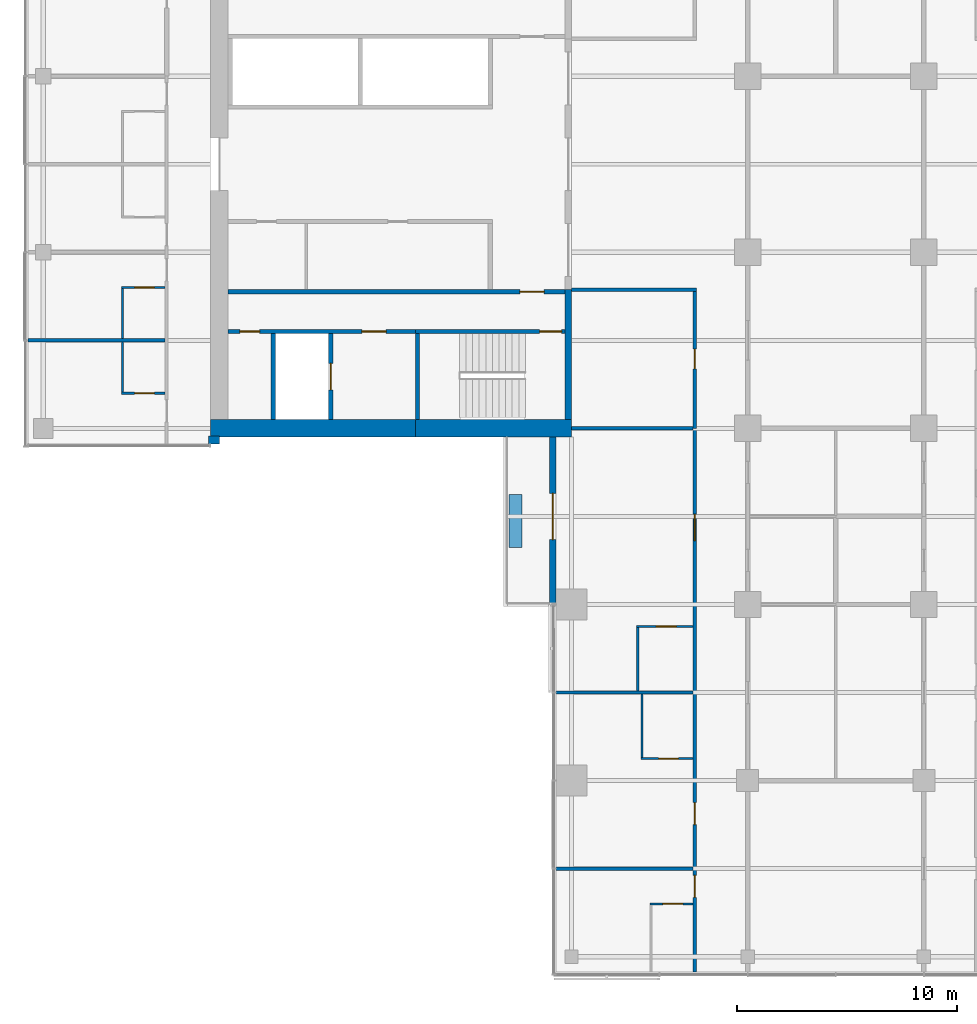
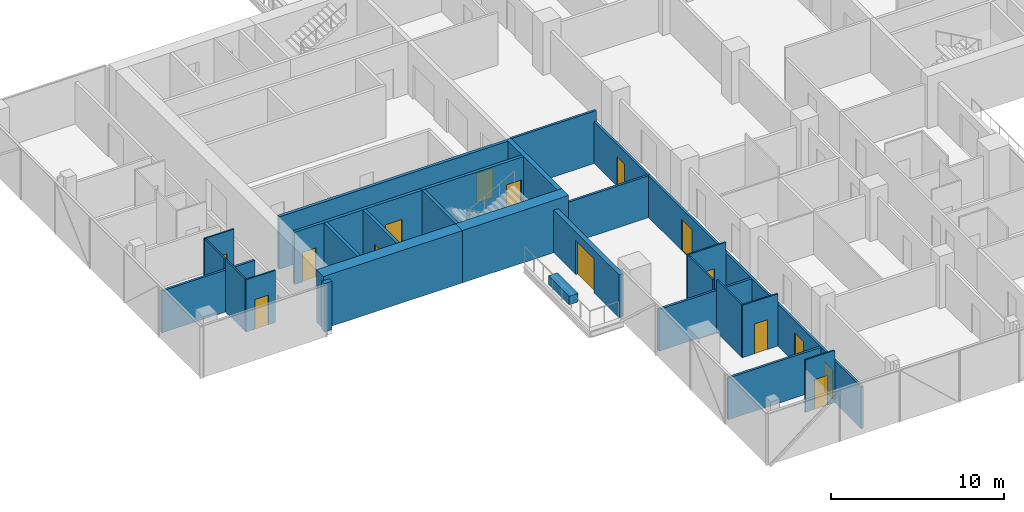
# One storey, part 15 of 27: 28 walls, 15 doors, 15 openings.
"""IFC4 building model written with IfcOpenShell, lengths in metres."""

from ifc_helpers import new_model, si_unit, direction, frame, frame_2d, origin, place, context, subcontext, project, spatial, rectangle, extrude, material, layer, layer_set, constituent, constituent_set, type_object, element, fill, save


model = new_model("IFC4")

# Units and contexts
model_context = context("Model", 3, precision=1e-05, world=origin(), true_north=direction((0.0, 1.0)))
body_context = subcontext(model_context, "Body", "Model", "MODEL_VIEW")
ifc_project = project(units=[si_unit("LENGTHUNIT", "METRE"), si_unit("AREAUNIT", "SQUARE_METRE"), si_unit("VOLUMEUNIT", "CUBIC_METRE"), si_unit("PLANEANGLEUNIT", "RADIAN"), si_unit("MASSUNIT", "GRAM", prefix="KILO")], contexts=[model_context])

# Site, building, storey
site_placement = place(None, origin())
site = spatial("IfcSite", under=ifc_project, at=site_placement, CompositionType="ELEMENT")
building_placement = place(site_placement, origin())
building = spatial("IfcBuilding", under=site, at=building_placement, Name="Crosswind Convention Tower", CompositionType="ELEMENT")
storey_placement = place(building_placement, frame((0.0, 0.0, 83.10009765625)))
storey = spatial("IfcBuildingStorey", under=building, at=storey_placement, Name="L15", CompositionType="ELEMENT", Elevation=83.10009765625)

# Wall
ifc_material_1 = material(Name="Plasterboard partition", Category="gypsum")
ifc_layer_1 = layer(ifc_material_1, 0.14990234375)
ifc_layer_set_1 = layer_set([ifc_layer_1], Name="CORRIDOR WALL 150")
wall_type_1 = type_object("IfcWallType", Name="CORRIDOR WALL 150", PredefinedType="PARTITIONING", material=ifc_layer_set_1)
wall_1_placement = place(storey_placement, frame((113.0, 94.300048828125, 0.0), z_axis=(0.0, 0.0, 1.0), x_axis=(1.0, 0.0, 0.0)))
element("IfcWall", 1, at=wall_1_placement, inside=storey, type_object=wall_type_1, Name="Corridor Wall 23", PredefinedType="PARTITIONING", context=body_context, shape_type="SweptSolid", body=[
    extrude(rectangle(XDim=5.675048828125, YDim=0.14990234375, at=frame_2d((2.83740234375, 0.0))), origin(), (0.0, 0.0, 1.0), 3.699951171875),
])

# Wall, opening, door
wall_2_placement = place(storey_placement, frame((118.60009765625, 88.0, 0.0), z_axis=(0.0, 0.0, 1.0), x_axis=(0.0, 1.0, 0.0)))
wall_2 = element("IfcWall", 2, at=wall_2_placement, inside=storey, type_object=wall_type_1, Name="Corridor Wall 74", PredefinedType="PARTITIONING", context=body_context, shape_type="SweptSolid", body=[
    extrude(rectangle(XDim=6.22509765625, YDim=0.14990234375, at=frame_2d((3.112548828125, 0.0))), origin(), (0.0, 0.0, 1.0), 2.956298828125),
])
opening_1_placement = place(wall_2_placement, frame((2.699951171875, 0.0, 0.0)))
opening_1 = element("IfcOpeningElement", 3, at=opening_1_placement, cuts=wall_2, Name="Opening 15.004", PredefinedType="OPENING", context=body_context, shape_type="SweptSolid", body=[
    extrude(rectangle(XDim=0.89990234375, YDim=2.10009765625, at=frame_2d((0.449951171875, 1.050048828125))), frame((0.0, 0.0849609375, 0.0), z_axis=(0.0, -1.0, 0.0), x_axis=(1.0, 0.0, 0.0)), (0.0, 0.0, 1.0), 0.169921875),
])
ifc_material_2 = material(Name="Timber door", Category="wood")
door_type_1 = type_object("IfcDoorType", Name="WC DOOR 900X2100", OperationType="NOTDEFINED", PredefinedType="DOOR", material=ifc_material_2)
door_1_placement = place(opening_1_placement, origin())
door_1 = element("IfcDoor", 4, at=door_1_placement, inside=storey, type_object=door_type_1, Name="Door 15.004", ObjectType="D7", OperationType="SINGLE_SWING_RIGHT", OverallHeight=2.10009765625, OverallWidth=0.89990234375, PredefinedType="DOOR", context=body_context, shape_type="SweptSolid", body=[
    extrude(rectangle(XDim=0.89990234375, YDim=2.10009765625, at=frame_2d((0.449951171875, 1.050048828125))), frame((0.0, 0.02490234375, 0.0), z_axis=(0.0, -1.0, 0.0), x_axis=(1.0, 0.0, 0.0)), (0.0, 0.0, 1.0), 0.050048828125),
])
fill(opening_1, door_1)

# Wall
ifc_material_3 = material(Name="Concrete C50/60", Category="concrete")
ifc_layer_2 = layer(ifc_material_3, 0.300048828125)
ifc_layer_set_2 = layer_set([ifc_layer_2], Name="Concrete C50/60")
wall_type_2 = type_object("IfcWallType", Name="Concrete inner core wall 300", PredefinedType="SHEAR", material=ifc_layer_set_2)
wall_3_placement = place(storey_placement, frame((112.85009765625, 94.300048828125, 0.0), z_axis=(0.0, 0.0, 1.0), x_axis=(0.0, -1.0, 0.0)))
element("IfcWall", 5, at=wall_3_placement, inside=storey, type_object=wall_type_2, Name="Wall EP W L15", PredefinedType="SHEAR", context=body_context, shape_type="SweptSolid", body=[
    extrude(rectangle(XDim=5.900146484375, YDim=0.300048828125, at=frame_2d((2.9501953125, 0.0))), origin(), (0.0, 0.0, 1.0), 3.699951171875),
])

# Wall, opening, door
ifc_layer_3 = layer(ifc_material_3, 0.199951171875)
ifc_layer_set_3 = layer_set([ifc_layer_3], Name="Concrete C50/60")
wall_type_3 = type_object("IfcWallType", Name="Concrete shaft and stair wall 200", PredefinedType="SHEAR", material=ifc_layer_set_3)
wall_4_placement = place(storey_placement, frame((112.699951171875, 94.199951171875, 0.0), z_axis=(0.0, 0.0, 1.0), x_axis=(-1.0, 0.0, 0.0)))
wall_4 = element("IfcWall", 6, at=wall_4_placement, inside=storey, type_object=wall_type_3, Name="Wall HP W L15", PredefinedType="SHEAR", context=body_context, shape_type="SweptSolid", body=[
    extrude(rectangle(XDim=15.300048828125, YDim=0.199951171875, at=frame_2d((7.64990234375, 0.0))), origin(), (0.0, 0.0, 1.0), 3.699951171875),
])
opening_2_placement = place(wall_4_placement, frame((0.949951171875, 0.0, 0.0)))
opening_2 = element("IfcOpeningElement", 7, at=opening_2_placement, cuts=wall_4, Name="Opening D104", PredefinedType="OPENING", context=body_context, shape_type="SweptSolid", body=[
    extrude(rectangle(XDim=1.10009765625, YDim=2.10009765625, at=frame_2d((0.550048828125, 1.050048828125))), frame((0.0, 0.10986328125, 0.0), z_axis=(0.0, -1.0, 0.0), x_axis=(1.0, 0.0, 0.0)), (0.0, 0.0, 1.0), 0.219970703125),
])
ifc_material_4 = material(Name="Steel fire door", Category="steel")
door_type_2 = type_object("IfcDoorType", Name="Fire-rated single door 1100x2100", OperationType="NOTDEFINED", PredefinedType="DOOR", material=ifc_material_4)
door_2_placement = place(opening_2_placement, origin())
door_2 = element("IfcDoor", 8, at=door_2_placement, inside=storey, type_object=door_type_2, Name="Corridor door L15", ObjectType="D104", OperationType="SINGLE_SWING_LEFT", OverallHeight=2.10009765625, OverallWidth=1.10009765625, PredefinedType="DOOR", context=body_context, shape_type="SweptSolid", body=[
    extrude(rectangle(XDim=1.10009765625, YDim=2.10009765625, at=frame_2d((0.550048828125, 1.050048828125))), frame((0.0, 0.02490234375, 0.0), z_axis=(0.0, -1.0, 0.0), x_axis=(1.0, 0.0, 0.0)), (0.0, 0.0, 1.0), 0.050048828125),
])
fill(opening_2, door_2)

# Wall
wall_5_placement = place(storey_placement, frame((106.0, 92.300048828125, 0.0), z_axis=(0.0, 0.0, 1.0), x_axis=(0.0, -1.0, 0.0)))
element("IfcWall", 9, at=wall_5_placement, inside=storey, type_object=wall_type_3, Name="Wall PSE W L15", PredefinedType="SHEAR", context=body_context, shape_type="SweptSolid", body=[
    extrude(rectangle(XDim=3.900146484375, YDim=0.199951171875, at=frame_2d((1.9501953125, 0.0))), origin(), (0.0, 0.0, 1.0), 3.699951171875),
])

# Wall, opening, door
wall_6_placement = place(storey_placement, frame((102.050048828125, 92.300048828125, 0.0), z_axis=(0.0, 0.0, 1.0), x_axis=(0.0, -1.0, 0.0)))
wall_6 = element("IfcWall", 10, at=wall_6_placement, inside=storey, type_object=wall_type_3, Name="Wall PFLW W L15", PredefinedType="SHEAR", context=body_context, shape_type="SweptSolid", body=[
    extrude(rectangle(XDim=3.900146484375, YDim=0.199951171875, at=frame_2d((1.9501953125, 0.0))), origin(), (0.0, 0.0, 1.0), 3.699951171875),
])
opening_3_placement = place(wall_6_placement, frame((1.35009765625, 0.0, 0.0)))
opening_3 = element("IfcOpeningElement", 11, at=opening_3_placement, cuts=wall_6, Name="Opening LD1", PredefinedType="OPENING", context=body_context, shape_type="SweptSolid", body=[
    extrude(rectangle(XDim=1.199951171875, YDim=2.10009765625, at=frame_2d((0.60009765625, 1.050048828125))), frame((0.0, 0.10986328125, 0.0), z_axis=(0.0, -1.0, 0.0), x_axis=(1.0, 0.0, 0.0)), (0.0, 0.0, 1.0), 0.219970703125),
])
ifc_material_5 = material(Name="Stainless steel", Category="steel")
door_type_3 = type_object("IfcDoorType", Name="Lift landing door 1200x2100", OperationType="DOUBLE_DOOR_SLIDING", PredefinedType="DOOR", material=ifc_material_5)
door_3_placement = place(opening_3_placement, origin())
door_3 = element("IfcDoor", 12, at=door_3_placement, inside=storey, type_object=door_type_3, Name="Landing door FF2 L15", ObjectType="LD1", OperationType="DOUBLE_DOOR_SLIDING", OverallHeight=2.10009765625, OverallWidth=1.199951171875, PredefinedType="DOOR", context=body_context, shape_type="SweptSolid", body=[
    extrude(rectangle(XDim=1.199951171875, YDim=2.10009765625, at=frame_2d((0.60009765625, 1.050048828125))), frame((0.0, 0.02490234375, 0.0), z_axis=(0.0, -1.0, 0.0), x_axis=(1.0, 0.0, 0.0)), (0.0, 0.0, 1.0), 0.050048828125),
])
fill(opening_3, door_3)

# Wall
wall_7_placement = place(storey_placement, frame((99.449951171875, 92.300048828125, 0.0), z_axis=(0.0, 0.0, 1.0), x_axis=(0.0, -1.0, 0.0)))
element("IfcWall", 13, at=wall_7_placement, inside=storey, type_object=wall_type_3, Name="Wall PFSE W L15", PredefinedType="SHEAR", context=body_context, shape_type="SweptSolid", body=[
    extrude(rectangle(XDim=3.900146484375, YDim=0.199951171875, at=frame_2d((1.9501953125, 0.0))), origin(), (0.0, 0.0, 1.0), 3.699951171875),
])

# Wall, opening, door
wall_8_placement = place(storey_placement, frame((112.699951171875, 92.39990234375, 0.0), z_axis=(0.0, 0.0, 1.0), x_axis=(-1.0, 0.0, 0.0)))
wall_8 = element("IfcWall", 14, at=wall_8_placement, inside=storey, type_object=wall_type_3, Name="Wall PCW W L15", PredefinedType="SHEAR", context=body_context, shape_type="SweptSolid", body=[
    extrude(rectangle(XDim=6.800048828125, YDim=0.199951171875, at=frame_2d((3.39990234375, 0.0))), origin(), (0.0, 0.0, 1.0), 3.699951171875),
])
opening_4_placement = place(wall_8_placement, frame((0.14990234375, 0.0, 0.0)))
opening_4 = element("IfcOpeningElement", 15, at=opening_4_placement, cuts=wall_8, Name="Opening D103", PredefinedType="OPENING", context=body_context, shape_type="SweptSolid", body=[
    extrude(rectangle(XDim=1.0, YDim=2.10009765625, at=frame_2d((0.5, 1.050048828125))), frame((0.0, 0.10986328125, 0.0), z_axis=(0.0, -1.0, 0.0), x_axis=(1.0, 0.0, 0.0)), (0.0, 0.0, 1.0), 0.219970703125),
])
door_type_4 = type_object("IfcDoorType", Name="Fire-rated single door 1000x2100", OperationType="NOTDEFINED", PredefinedType="DOOR", material=ifc_material_4)
door_4_placement = place(opening_4_placement, origin())
door_4 = element("IfcDoor", 16, at=door_4_placement, inside=storey, type_object=door_type_4, Name="Stair ST3 door L15", ObjectType="D103", OperationType="SINGLE_SWING_LEFT", OverallHeight=2.10009765625, OverallWidth=1.0, PredefinedType="DOOR", context=body_context, shape_type="SweptSolid", body=[
    extrude(rectangle(XDim=1.0, YDim=2.10009765625, at=frame_2d((0.5, 1.050048828125))), frame((0.0, 0.02490234375, 0.0), z_axis=(0.0, -1.0, 0.0), x_axis=(1.0, 0.0, 0.0)), (0.0, 0.0, 1.0), 0.050048828125),
])
fill(opening_4, door_4)

# Wall, openings, doors
wall_9_placement = place(storey_placement, frame((105.89990234375, 92.39990234375, 0.0), z_axis=(0.0, 0.0, 1.0), x_axis=(-1.0, 0.0, 0.0)))
wall_9 = element("IfcWall", 17, at=wall_9_placement, inside=storey, type_object=wall_type_3, Name="Wall PCX W L15", PredefinedType="SHEAR", context=body_context, shape_type="SweptSolid", body=[
    extrude(rectangle(XDim=8.5, YDim=0.199951171875, at=frame_2d((4.25, 0.0))), origin(), (0.0, 0.0, 1.0), 3.699951171875),
])
opening_5_placement = place(wall_9_placement, frame((1.324951171875, 0.0, 0.0)))
opening_5 = element("IfcOpeningElement", 18, at=opening_5_placement, cuts=wall_9, Name="Opening D104", PredefinedType="OPENING", context=body_context, shape_type="SweptSolid", body=[
    extrude(rectangle(XDim=1.10009765625, YDim=2.10009765625, at=frame_2d((0.550048828125, 1.050048828125))), frame((0.0, 0.10986328125, 0.0), z_axis=(0.0, -1.0, 0.0), x_axis=(1.0, 0.0, 0.0)), (0.0, 0.0, 1.0), 0.219970703125),
])
opening_6_placement = place(wall_9_placement, frame((7.074951171875, 0.0, 0.0)))
opening_6 = element("IfcOpeningElement", 19, at=opening_6_placement, cuts=wall_9, Name="Opening D106", PredefinedType="OPENING", context=body_context, shape_type="SweptSolid", body=[
    extrude(rectangle(XDim=0.89990234375, YDim=2.10009765625, at=frame_2d((0.449951171875, 1.050048828125))), frame((0.0, 0.10986328125, 0.0), z_axis=(0.0, -1.0, 0.0), x_axis=(1.0, 0.0, 0.0)), (0.0, 0.0, 1.0), 0.219970703125),
])
door_5_placement = place(opening_5_placement, origin())
door_5 = element("IfcDoor", 20, at=door_5_placement, inside=storey, type_object=door_type_2, Name="Fire-fighting lobby FF2 door L15", ObjectType="D104", OperationType="SINGLE_SWING_RIGHT", OverallHeight=2.10009765625, OverallWidth=1.10009765625, PredefinedType="DOOR", context=body_context, shape_type="SweptSolid", body=[
    extrude(rectangle(XDim=1.10009765625, YDim=2.10009765625, at=frame_2d((0.550048828125, 1.050048828125))), frame((0.0, 0.02490234375, 0.0), z_axis=(0.0, -1.0, 0.0), x_axis=(1.0, 0.0, 0.0)), (0.0, 0.0, 1.0), 0.050048828125),
])
fill(opening_5, door_5)
door_type_5 = type_object("IfcDoorType", Name="Single leaf door 900x2100", OperationType="NOTDEFINED", PredefinedType="DOOR", material=ifc_material_2)
door_6_placement = place(opening_6_placement, origin())
door_6 = element("IfcDoor", 21, at=door_6_placement, inside=storey, type_object=door_type_5, Name="Door to comms room L15", ObjectType="D106", OperationType="SINGLE_SWING_RIGHT", OverallHeight=2.10009765625, OverallWidth=0.89990234375, PredefinedType="DOOR", context=body_context, shape_type="SweptSolid", body=[
    extrude(rectangle(XDim=0.89990234375, YDim=2.10009765625, at=frame_2d((0.449951171875, 1.050048828125))), frame((0.0, 0.02490234375, 0.0), z_axis=(0.0, -1.0, 0.0), x_axis=(1.0, 0.0, 0.0)), (0.0, 0.0, 1.0), 0.050048828125),
])
fill(opening_6, door_6)

# Walls
ifc_material_6 = material(Name="Acoustic plasterboard partition", Category="gypsum")
ifc_layer_4 = layer(ifc_material_6, 0.14990234375)
ifc_layer_set_4 = layer_set([ifc_layer_4], Name="GUEST ROOM WALL 150")
wall_type_4 = type_object("IfcWallType", Name="GUEST ROOM WALL 150", PredefinedType="PARTITIONING", material=ifc_layer_set_4)
for number, where, z_axis, x_axis, name in (
    (22, (112.300048828125, 68.0, 0.0), (0.0, 0.0, 1.0), (1.0, 0.0, 0.0), "Guest Room Wall 2"),
    (23, (112.300048828125, 76.0, 0.0), (0.0, 0.0, 1.0), (1.0, 0.0, 0.0), "Guest Room Wall 7"),
):
    element("IfcWall", number, at=place(storey_placement, frame(where, z_axis=z_axis, x_axis=x_axis)), inside=storey, type_object=wall_type_4, Name=name, PredefinedType="PARTITIONING", context=body_context, shape_type="SweptSolid", body=[
        extrude(rectangle(XDim=6.224853515625, YDim=0.14990234375, at=frame_2d((3.1123046875, 0.0))), origin(), (0.0, 0.0, 1.0), 2.962646484375),
    ])
wall_10_placement = place(storey_placement, frame((113.0, 88.0, 0.0), z_axis=(0.0, 0.0, 1.0), x_axis=(1.0, 0.0, 0.0)))
element("IfcWall", 24, at=wall_10_placement, inside=storey, type_object=wall_type_4, Name="Guest Room Wall 17", PredefinedType="PARTITIONING", context=body_context, shape_type="SweptSolid", body=[
    extrude(rectangle(XDim=5.52490234375, YDim=0.14990234375, at=frame_2d((2.762451171875, 0.0))), origin(), (0.0, 0.0, 1.0), 2.956298828125),
])
wall_11_placement = place(storey_placement, frame((88.300048828125, 92.0, 0.0), z_axis=(0.0, 0.0, 1.0), x_axis=(1.0, 0.0, 0.0)))
element("IfcWall", 25, at=wall_11_placement, inside=storey, type_object=wall_type_4, Name="Guest Room Wall 21", PredefinedType="PARTITIONING", context=body_context, shape_type="SweptSolid", body=[
    extrude(rectangle(XDim=6.224853515625, YDim=0.14990234375, at=frame_2d((3.1123046875, 0.0))), origin(), (0.0, 0.0, 1.0), 2.962646484375),
])

# Wall, openings, doors
wall_12_placement = place(storey_placement, frame((118.60009765625, 63.300048828125, 0.0), z_axis=(0.0, 0.0, 1.0), x_axis=(0.0, 1.0, 0.0)))
wall_12 = element("IfcWall", 26, at=wall_12_placement, inside=storey, type_object=wall_type_4, Name="Guest Room Wall 73", PredefinedType="PARTITIONING", context=body_context, shape_type="SweptSolid", body=[
    extrude(rectangle(XDim=24.699951171875, YDim=0.14990234375, at=frame_2d((12.35009765625, 0.0))), origin(), (0.0, 0.0, 1.0), 2.956298828125),
])
opening_7_placement = place(wall_12_placement, frame((19.60009765625, 0.0, 0.0)))
opening_7 = element("IfcOpeningElement", 27, at=opening_7_placement, cuts=wall_12, Name="Opening 15.027", PredefinedType="OPENING", context=body_context, shape_type="SweptSolid", body=[
    extrude(rectangle(XDim=1.199951171875, YDim=2.199951171875, at=frame_2d((0.60009765625, 1.10009765625))), frame((0.0, 0.0849609375, 0.0), z_axis=(0.0, -1.0, 0.0), x_axis=(1.0, 0.0, 0.0)), (0.0, 0.0, 1.0), 0.169921875),
])
opening_8_placement = place(wall_12_placement, frame((6.699951171875, 0.0, 0.0)))
opening_8 = element("IfcOpeningElement", 28, at=opening_8_placement, cuts=wall_12, Name="Opening 15.029", PredefinedType="OPENING", context=body_context, shape_type="SweptSolid", body=[
    extrude(rectangle(XDim=1.0, YDim=2.10009765625, at=frame_2d((0.5, 1.050048828125))), frame((0.0, 0.0849609375, 0.0), z_axis=(0.0, -1.0, 0.0), x_axis=(1.0, 0.0, 0.0)), (0.0, 0.0, 1.0), 0.169921875),
])
opening_9_placement = place(wall_12_placement, frame((3.39990234375, 0.0, 0.0)))
opening_9 = element("IfcOpeningElement", 29, at=opening_9_placement, cuts=wall_12, Name="Opening 15.031", PredefinedType="OPENING", context=body_context, shape_type="SweptSolid", body=[
    extrude(rectangle(XDim=1.0, YDim=2.10009765625, at=frame_2d((0.5, 1.050048828125))), frame((0.0, 0.0849609375, 0.0), z_axis=(0.0, -1.0, 0.0), x_axis=(1.0, 0.0, 0.0)), (0.0, 0.0, 1.0), 0.169921875),
])
ifc_material_7 = material(Name="Timber fire door", Category="wood")
door_type_6 = type_object("IfcDoorType", Name="GUEST ROOM DOOR 1000X2100", OperationType="NOTDEFINED", PredefinedType="DOOR", material=ifc_material_7)
door_7_placement = place(opening_8_placement, origin())
door_7 = element("IfcDoor", 30, at=door_7_placement, inside=storey, type_object=door_type_6, Name="Door 15.029", ObjectType="D1", OperationType="SINGLE_SWING_RIGHT", OverallHeight=2.10009765625, OverallWidth=1.0, PredefinedType="DOOR", context=body_context, shape_type="SweptSolid", body=[
    extrude(rectangle(XDim=1.0, YDim=2.10009765625, at=frame_2d((0.5, 1.050048828125))), frame((0.0, 0.02490234375, 0.0), z_axis=(0.0, -1.0, 0.0), x_axis=(1.0, 0.0, 0.0)), (0.0, 0.0, 1.0), 0.050048828125),
])
fill(opening_8, door_7)
door_8_placement = place(opening_9_placement, origin())
door_8 = element("IfcDoor", 31, at=door_8_placement, inside=storey, type_object=door_type_6, Name="Door 15.031", ObjectType="D1", OperationType="SINGLE_SWING_RIGHT", OverallHeight=2.10009765625, OverallWidth=1.0, PredefinedType="DOOR", context=body_context, shape_type="SweptSolid", body=[
    extrude(rectangle(XDim=1.0, YDim=2.10009765625, at=frame_2d((0.5, 1.050048828125))), frame((0.0, 0.02490234375, 0.0), z_axis=(0.0, -1.0, 0.0), x_axis=(1.0, 0.0, 0.0)), (0.0, 0.0, 1.0), 0.050048828125),
])
fill(opening_9, door_8)
door_type_7 = type_object("IfcDoorType", Name="SUITE DOOR 1200X2200", OperationType="DOUBLE_DOOR_SINGLE_SWING", PredefinedType="DOOR", material=ifc_material_7)
door_9_placement = place(opening_7_placement, origin())
door_9 = element("IfcDoor", 32, at=door_9_placement, inside=storey, type_object=door_type_7, Name="Door 15.027", ObjectType="D14", OperationType="DOUBLE_DOOR_SINGLE_SWING", OverallHeight=2.199951171875, OverallWidth=1.199951171875, PredefinedType="DOOR", context=body_context, shape_type="SweptSolid", body=[
    extrude(rectangle(XDim=1.199951171875, YDim=2.199951171875, at=frame_2d((0.60009765625, 1.10009765625))), frame((0.0, 0.02490234375, 0.0), z_axis=(0.0, -1.0, 0.0), x_axis=(1.0, 0.0, 0.0)), (0.0, 0.0, 1.0), 0.050048828125),
])
fill(opening_7, door_9)

# Walls
ifc_material_8 = material(Name="Concrete C30/37", Category="concrete")
ifc_layer_5 = layer(ifc_material_8, 0.60009765625)
ifc_layer_set_5 = layer_set([ifc_layer_5], Name="Concrete C30/37")
wall_type_5 = type_object("IfcWallType", Name="PLANTER BOX WALL 600", PredefinedType="SOLIDWALL", material=ifc_layer_set_5)
wall_13_placement = place(storey_placement, frame((110.449951171875, 85.0, 0.0), z_axis=(0.0, 0.0, 1.0), x_axis=(0.0, -1.0, 0.0)))
element("IfcWall", 33, at=wall_13_placement, inside=storey, type_object=wall_type_5, Name="PLANTER L15 S-W.1-1", PredefinedType="SOLIDWALL", context=body_context, shape_type="SweptSolid", body=[
    extrude(rectangle(XDim=2.39990234375, YDim=0.60009765625, at=frame_2d((1.199951171875, 0.0))), origin(), (0.0, 0.0, 1.0), 0.599853515625),
])
ifc_material_9 = material(Name="Terracotta rainscreen", Category="ceramic")
ifc_layer_6 = layer(ifc_material_9, 0.02001953125)
ifc_material_10 = material(Name="Mineral wool insulation", Category="insulation")
ifc_layer_7 = layer(ifc_material_10, 0.10009765625)
ifc_material_11 = material(Name="Concrete blockwork", Category="masonry")
ifc_layer_8 = layer(ifc_material_11, 0.236083984375)
ifc_layer_set_6 = layer_set([ifc_layer_6, ifc_layer_7, ifc_layer_8], Name="TERRACOTTA CORNER INFILL WALL 356")
wall_type_6 = type_object("IfcWallType", Name="TERRACOTTA CORNER INFILL WALL 356", PredefinedType="SOLIDWALL", material=ifc_layer_set_6)
wall_14_placement = place(storey_placement, frame((96.4951171875, 87.47802734375, 0.0), z_axis=(0.0, 0.0, 1.0), x_axis=(1.0, 0.0, 0.0)))
element("IfcWall", 34, at=wall_14_placement, inside=storey, type_object=wall_type_6, Name="Core corner infill wall L15 3", PredefinedType="SOLIDWALL", context=body_context, shape_type="SweptSolid", body=[
    extrude(rectangle(XDim=0.5048828125, YDim=0.35595703125, at=frame_2d((0.25244140625, 0.0))), origin(), (0.0, 0.0, 1.0), 3.419921875),
])

# Wall, opening, door
ifc_layer_9 = layer(ifc_material_9, 0.02001953125)
ifc_layer_10 = layer(ifc_material_10, 0.10009765625)
ifc_layer_11 = layer(ifc_material_11, 0.179931640625)
ifc_layer_set_7 = layer_set([ifc_layer_9, ifc_layer_10, ifc_layer_11], Name="TERRACOTTA INFILL WALL 300")
wall_type_7 = type_object("IfcWallType", Name="TERRACOTTA INFILL WALL 300", PredefinedType="SOLIDWALL", material=ifc_layer_set_7)
wall_15_placement = place(storey_placement, frame((112.14990234375, 87.60009765625, 0.0), z_axis=(0.0, 0.0, 1.0), x_axis=(0.0, -1.0, 0.0)))
wall_15 = element("IfcWall", 35, at=wall_15_placement, inside=storey, type_object=wall_type_7, Name="Notch front wall L15 S-W.1-1", PredefinedType="SOLIDWALL", context=body_context, shape_type="SweptSolid", body=[
    extrude(rectangle(XDim=7.567626953125, YDim=0.300048828125, at=frame_2d((3.78369140625, 0.0))), origin(), (0.0, 0.0, 1.0), 3.013427734375),
])
opening_10_placement = place(wall_15_placement, frame((2.550048828125, 0.0, 0.0)))
opening_10 = element("IfcOpeningElement", 36, at=opening_10_placement, cuts=wall_15, Name="Opening D141", PredefinedType="OPENING", context=body_context, shape_type="SweptSolid", body=[
    extrude(rectangle(XDim=2.10009765625, YDim=2.39990234375, at=frame_2d((1.050048828125, 1.199951171875))), frame((0.0, 0.159912109375, 0.0), z_axis=(0.0, -1.0, 0.0), x_axis=(1.0, 0.0, 0.0)), (0.0, 0.0, 1.0), 0.320068359375),
])
ifc_material_12 = material(Name="Aluminium glazed door", Category="aluminium")
door_type_8 = type_object("IfcDoorType", Name="BALCONY SLIDING DOOR 2100X2400", OperationType="SLIDING_TO_LEFT", PredefinedType="DOOR", material=ifc_material_12)
door_10_placement = place(opening_10_placement, frame((2.10009765625, 0.0, 0.0), z_axis=(0.0, 0.0, 1.0), x_axis=(-1.0, 0.0, 0.0)))
door_10 = element("IfcDoor", 37, at=door_10_placement, inside=storey, type_object=door_type_8, Name="D141 balcony door L15 S-W.1-1", ObjectType="D141", OperationType="SLIDING_TO_LEFT", OverallHeight=2.39990234375, OverallWidth=2.10009765625, PredefinedType="DOOR", context=body_context, shape_type="SweptSolid", body=[
    extrude(rectangle(XDim=2.10009765625, YDim=2.39990234375, at=frame_2d((1.050048828125, 1.199951171875))), frame((0.0, 0.02490234375, 0.0), z_axis=(0.0, -1.0, 0.0), x_axis=(1.0, 0.0, 0.0)), (0.0, 0.0, 1.0), 0.050048828125),
])
fill(opening_10, door_10)

# Walls
ifc_material_13 = material(Name="Concrete C60/75", Category="concrete")
ifc_constituent_1 = constituent(ifc_material_13, Name="Structure")
ifc_constituent_2 = constituent(ifc_material_9, Name="Facing")
ifc_constituent_set = constituent_set(constituents=[ifc_constituent_1, ifc_constituent_2], Name="Concrete C60/75, Terracotta rainscreen")
wall_type_8 = type_object("IfcWallType", Name="Terracotta rainscreen on concrete core wall 800", PredefinedType="SHEAR", material=ifc_constituent_set)
wall_16_placement = place(storey_placement, frame((113.0, 88.0, 0.0), z_axis=(0.0, 0.0, 1.0), x_axis=(-1.0, 0.0, 0.0)))
element("IfcWall", 38, at=wall_16_placement, inside=storey, type_object=wall_type_8, Name="Wall N1 W L15", PredefinedType="SHEAR", context=body_context, shape_type="SweptSolid", body=[
    extrude(rectangle(XDim=7.10009765625, YDim=0.800048828125, at=frame_2d((3.550048828125, 0.0))), origin(), (0.0, 0.0, 1.0), 3.699951171875),
])
wall_17_placement = place(storey_placement, frame((105.89990234375, 88.0, 0.0), z_axis=(0.0, 0.0, 1.0), x_axis=(-1.0, 0.0, 0.0)))
element("IfcWall", 39, at=wall_17_placement, inside=storey, type_object=wall_type_8, Name="Wall N2 W L15", PredefinedType="SHEAR", context=body_context, shape_type="SweptSolid", body=[
    extrude(rectangle(XDim=9.2998046875, YDim=0.800048828125, at=frame_2d((4.64990234375, 0.0))), origin(), (0.0, 0.0, 1.0), 3.699951171875),
])

# Wall, opening, door
ifc_material_14 = material(Name="Water-resistant plasterboard partition", Category="gypsum")
ifc_layer_12 = layer(ifc_material_14, 0.10009765625)
ifc_layer_set_8 = layer_set([ifc_layer_12], Name="WET ROOM PARTITION 100")
wall_type_9 = type_object("IfcWallType", Name="WET ROOM PARTITION 100", PredefinedType="PLUMBINGWALL", material=ifc_layer_set_8)
wall_18_placement = place(storey_placement, frame((116.550048828125, 66.39990234375, 0.0), z_axis=(0.0, 0.0, 1.0), x_axis=(1.0, 0.0, 0.0)))
wall_18 = element("IfcWall", 40, at=wall_18_placement, inside=storey, type_object=wall_type_9, Name="Wet Room Partition 1", PredefinedType="PLUMBINGWALL", context=body_context, shape_type="SweptSolid", body=[
    extrude(rectangle(XDim=1.974853515625, YDim=0.10009765625, at=frame_2d((0.9873046875, 0.0))), origin(), (0.0, 0.0, 1.0), 3.699951171875),
])
opening_11_placement = place(wall_18_placement, frame((0.60009765625, 0.0, 0.0)))
opening_11 = element("IfcOpeningElement", 41, at=opening_11_placement, cuts=wall_18, Name="Opening 15.032", PredefinedType="OPENING", context=body_context, shape_type="SweptSolid", body=[
    extrude(rectangle(XDim=0.89990234375, YDim=2.10009765625, at=frame_2d((0.449951171875, 1.050048828125))), frame((0.0, 0.06005859375, 0.0), z_axis=(0.0, -1.0, 0.0), x_axis=(1.0, 0.0, 0.0)), (0.0, 0.0, 1.0), 0.1201171875),
])
door_type_9 = type_object("IfcDoorType", Name="EN-SUITE DOOR 900X2100", OperationType="NOTDEFINED", PredefinedType="DOOR", material=ifc_material_2)
door_11_placement = place(opening_11_placement, frame((0.89990234375, 0.0, 0.0), z_axis=(0.0, 0.0, 1.0), x_axis=(-1.0, 0.0, 0.0)))
door_11 = element("IfcDoor", 42, at=door_11_placement, inside=storey, type_object=door_type_9, Name="Door 15.032", ObjectType="D2", OperationType="SINGLE_SWING_LEFT", OverallHeight=2.10009765625, OverallWidth=0.89990234375, PredefinedType="DOOR", context=body_context, shape_type="SweptSolid", body=[
    extrude(rectangle(XDim=0.89990234375, YDim=2.10009765625, at=frame_2d((0.449951171875, 1.050048828125))), frame((0.0, 0.02490234375, 0.0), z_axis=(0.0, -1.0, 0.0), x_axis=(1.0, 0.0, 0.0)), (0.0, 0.0, 1.0), 0.050048828125),
])
fill(opening_11, door_11)

wall_19_placement = place(storey_placement, frame((116.14990234375, 73.0, 0.0), z_axis=(0.0, 0.0, 1.0), x_axis=(1.0, 0.0, 0.0)))
wall_19 = element("IfcWall", 43, at=wall_19_placement, inside=storey, type_object=wall_type_9, Name="Wet Room Partition 5", PredefinedType="PLUMBINGWALL", context=body_context, shape_type="SweptSolid", body=[
    extrude(rectangle(XDim=2.375, YDim=0.10009765625, at=frame_2d((1.1875, 0.0))), origin(), (0.0, 0.0, 1.0), 3.699951171875),
])
opening_12_placement = place(wall_19_placement, frame((0.800048828125, 0.0, 0.0)))
opening_12 = element("IfcOpeningElement", 44, at=opening_12_placement, cuts=wall_19, Name="Opening 15.030", PredefinedType="OPENING", context=body_context, shape_type="SweptSolid", body=[
    extrude(rectangle(XDim=0.89990234375, YDim=2.10009765625, at=frame_2d((0.449951171875, 1.050048828125))), frame((0.0, 0.06005859375, 0.0), z_axis=(0.0, -1.0, 0.0), x_axis=(1.0, 0.0, 0.0)), (0.0, 0.0, 1.0), 0.1201171875),
])
door_12_placement = place(opening_12_placement, origin())
door_12 = element("IfcDoor", 45, at=door_12_placement, inside=storey, type_object=door_type_9, Name="Door 15.030", ObjectType="D2", OperationType="SINGLE_SWING_RIGHT", OverallHeight=2.10009765625, OverallWidth=0.89990234375, PredefinedType="DOOR", context=body_context, shape_type="SweptSolid", body=[
    extrude(rectangle(XDim=0.89990234375, YDim=2.10009765625, at=frame_2d((0.449951171875, 1.050048828125))), frame((0.0, 0.02490234375, 0.0), z_axis=(0.0, -1.0, 0.0), x_axis=(1.0, 0.0, 0.0)), (0.0, 0.0, 1.0), 0.050048828125),
])
fill(opening_12, door_12)

wall_20_placement = place(storey_placement, frame((115.949951171875, 79.0, 0.0), z_axis=(0.0, 0.0, 1.0), x_axis=(1.0, 0.0, 0.0)))
wall_20 = element("IfcWall", 46, at=wall_20_placement, inside=storey, type_object=wall_type_9, Name="Wet Room Partition 10", PredefinedType="PLUMBINGWALL", context=body_context, shape_type="SweptSolid", body=[
    extrude(rectangle(XDim=2.574951171875, YDim=0.10009765625, at=frame_2d((1.28759765625, 0.0))), origin(), (0.0, 0.0, 1.0), 3.699951171875),
])
opening_13_placement = place(wall_20_placement, frame((0.89990234375, 0.0, 0.0)))
opening_13 = element("IfcOpeningElement", 47, at=opening_13_placement, cuts=wall_20, Name="Opening 15.028", PredefinedType="OPENING", context=body_context, shape_type="SweptSolid", body=[
    extrude(rectangle(XDim=0.89990234375, YDim=2.10009765625, at=frame_2d((0.449951171875, 1.050048828125))), frame((0.0, 0.06005859375, 0.0), z_axis=(0.0, -1.0, 0.0), x_axis=(1.0, 0.0, 0.0)), (0.0, 0.0, 1.0), 0.1201171875),
])
door_13_placement = place(opening_13_placement, frame((0.89990234375, 0.0, 0.0), z_axis=(0.0, 0.0, 1.0), x_axis=(-1.0, 0.0, 0.0)))
door_13 = element("IfcDoor", 48, at=door_13_placement, inside=storey, type_object=door_type_9, Name="Door 15.028", ObjectType="D2", OperationType="SINGLE_SWING_LEFT", OverallHeight=2.10009765625, OverallWidth=0.89990234375, PredefinedType="DOOR", context=body_context, shape_type="SweptSolid", body=[
    extrude(rectangle(XDim=0.89990234375, YDim=2.10009765625, at=frame_2d((0.449951171875, 1.050048828125))), frame((0.0, 0.02490234375, 0.0), z_axis=(0.0, -1.0, 0.0), x_axis=(1.0, 0.0, 0.0)), (0.0, 0.0, 1.0), 0.050048828125),
])
fill(opening_13, door_13)

wall_21_placement = place(storey_placement, frame((92.550048828125, 89.60009765625, 0.0), z_axis=(0.0, 0.0, 1.0), x_axis=(1.0, 0.0, 0.0)))
wall_21 = element("IfcWall", 49, at=wall_21_placement, inside=storey, type_object=wall_type_9, Name="Wet Room Partition 20", PredefinedType="PLUMBINGWALL", context=body_context, shape_type="SweptSolid", body=[
    extrude(rectangle(XDim=1.974853515625, YDim=0.10009765625, at=frame_2d((0.9873046875, 0.0))), origin(), (0.0, 0.0, 1.0), 3.699951171875),
])
opening_14_placement = place(wall_21_placement, frame((0.60009765625, 0.0, 0.0)))
opening_14 = element("IfcOpeningElement", 50, at=opening_14_placement, cuts=wall_21, Name="Opening 15.040", PredefinedType="OPENING", context=body_context, shape_type="SweptSolid", body=[
    extrude(rectangle(XDim=0.89990234375, YDim=2.10009765625, at=frame_2d((0.449951171875, 1.050048828125))), frame((0.0, 0.06005859375, 0.0), z_axis=(0.0, -1.0, 0.0), x_axis=(1.0, 0.0, 0.0)), (0.0, 0.0, 1.0), 0.1201171875),
])
door_14_placement = place(opening_14_placement, origin())
door_14 = element("IfcDoor", 51, at=door_14_placement, inside=storey, type_object=door_type_9, Name="Door 15.040", ObjectType="D2", OperationType="SINGLE_SWING_RIGHT", OverallHeight=2.10009765625, OverallWidth=0.89990234375, PredefinedType="DOOR", context=body_context, shape_type="SweptSolid", body=[
    extrude(rectangle(XDim=0.89990234375, YDim=2.10009765625, at=frame_2d((0.449951171875, 1.050048828125))), frame((0.0, 0.02490234375, 0.0), z_axis=(0.0, -1.0, 0.0), x_axis=(1.0, 0.0, 0.0)), (0.0, 0.0, 1.0), 0.050048828125),
])
fill(opening_14, door_14)

wall_22_placement = place(storey_placement, frame((92.550048828125, 94.39990234375, 0.0), z_axis=(0.0, 0.0, 1.0), x_axis=(1.0, 0.0, 0.0)))
wall_22 = element("IfcWall", 52, at=wall_22_placement, inside=storey, type_object=wall_type_9, Name="Wet Room Partition 25", PredefinedType="PLUMBINGWALL", context=body_context, shape_type="SweptSolid", body=[
    extrude(rectangle(XDim=1.974853515625, YDim=0.10009765625, at=frame_2d((0.9873046875, 0.0))), origin(), (0.0, 0.0, 1.0), 3.699951171875),
])
opening_15_placement = place(wall_22_placement, frame((0.60009765625, 0.0, 0.0)))
opening_15 = element("IfcOpeningElement", 53, at=opening_15_placement, cuts=wall_22, Name="Opening 15.042", PredefinedType="OPENING", context=body_context, shape_type="SweptSolid", body=[
    extrude(rectangle(XDim=0.89990234375, YDim=2.10009765625, at=frame_2d((0.449951171875, 1.050048828125))), frame((0.0, 0.06005859375, 0.0), z_axis=(0.0, -1.0, 0.0), x_axis=(1.0, 0.0, 0.0)), (0.0, 0.0, 1.0), 0.1201171875),
])
door_15_placement = place(opening_15_placement, frame((0.89990234375, 0.0, 0.0), z_axis=(0.0, 0.0, 1.0), x_axis=(-1.0, 0.0, 0.0)))
door_15 = element("IfcDoor", 54, at=door_15_placement, inside=storey, type_object=door_type_9, Name="Door 15.042", ObjectType="D2", OperationType="SINGLE_SWING_LEFT", OverallHeight=2.10009765625, OverallWidth=0.89990234375, PredefinedType="DOOR", context=body_context, shape_type="SweptSolid", body=[
    extrude(rectangle(XDim=0.89990234375, YDim=2.10009765625, at=frame_2d((0.449951171875, 1.050048828125))), frame((0.0, 0.02490234375, 0.0), z_axis=(0.0, -1.0, 0.0), x_axis=(1.0, 0.0, 0.0)), (0.0, 0.0, 1.0), 0.050048828125),
])
fill(opening_15, door_15)

# Walls
for number, where, z_axis, x_axis, name in (
    (55, (92.60009765625, 89.64990234375, 0.0), (0.0, 0.0, 1.0), (0.0, 1.0, 0.0), "Wet Room Partition 61"),
    (56, (92.60009765625, 92.074951171875, 0.0), (0.0, 0.0, 1.0), (0.0, 1.0, 0.0), "Wet Room Partition 62"),
):
    element("IfcWall", number, at=place(storey_placement, frame(where, z_axis=z_axis, x_axis=x_axis)), inside=storey, type_object=wall_type_9, Name=name, PredefinedType="PLUMBINGWALL", context=body_context, shape_type="SweptSolid", body=[
        extrude(rectangle(XDim=2.275146484375, YDim=0.10009765625, at=frame_2d((1.1376953125, 0.0))), origin(), (0.0, 0.0, 1.0), 3.699951171875),
    ])
for number, where, z_axis, x_axis, name in (
    (57, (116.0, 76.074951171875, 0.0), (0.0, 0.0, 1.0), (0.0, 1.0, 0.0), "Wet Room Partition 67"),
    (58, (116.199951171875, 73.050048828125, 0.0), (0.0, 0.0, 1.0), (0.0, 1.0, 0.0), "Wet Room Partition 69"),
):
    element("IfcWall", number, at=place(storey_placement, frame(where, z_axis=z_axis, x_axis=x_axis)), inside=storey, type_object=wall_type_9, Name=name, PredefinedType="PLUMBINGWALL", context=body_context, shape_type="SweptSolid", body=[
        extrude(rectangle(XDim=2.875, YDim=0.10009765625, at=frame_2d((1.4375, 0.0))), origin(), (0.0, 0.0, 1.0), 3.699951171875),
    ])

save(model, "model.ifc")
